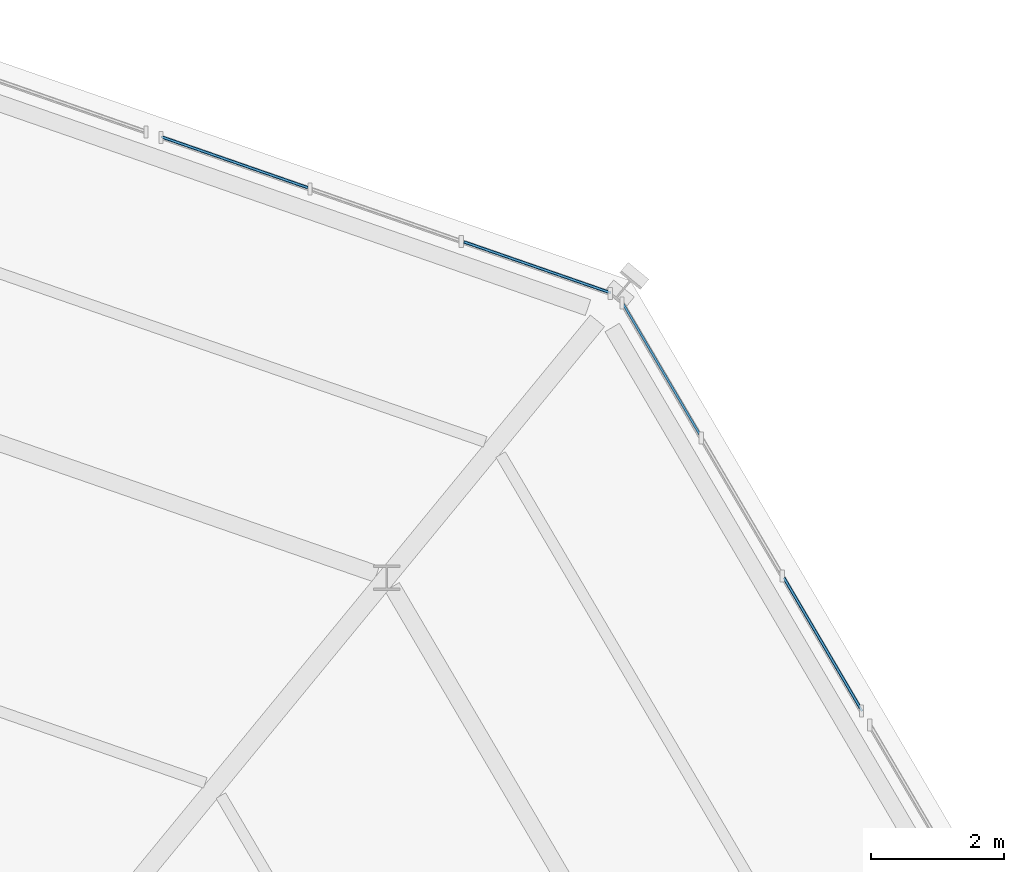
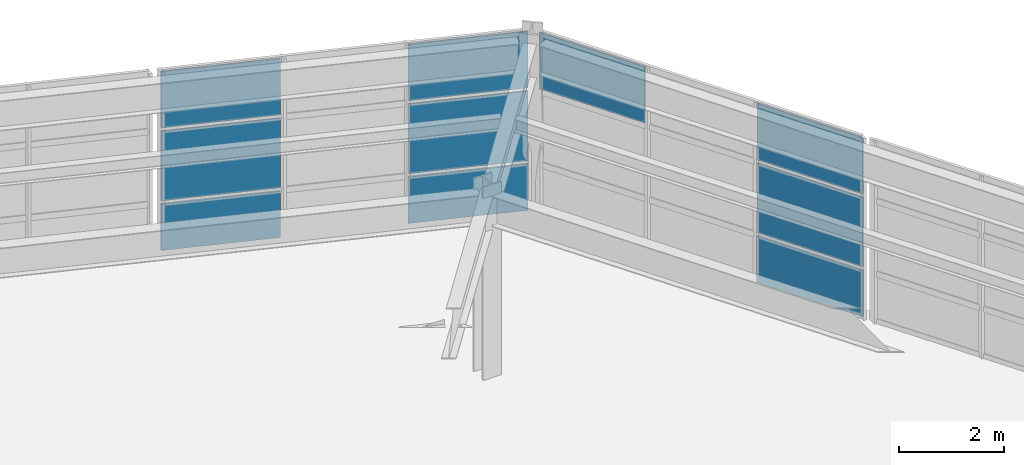
# One storey, part 57 of 88: 10 plates, 2 elements without a shape of their own.
"""IFC4 building model written with IfcOpenShell, lengths in metres."""

import ifcopenshell
import ifcopenshell.guid

model = None  # the IFC model being written
_history = None  # IfcOwnerHistory: only IFC2X3 demands one
_inside = {}  # id of a spatial element -> (the spatial element, [elements in it])
_under = {}  # id of a project, library or spatial element -> (it, [spatial elements below it])
_declared = {}  # id of a project -> (the project, [libraries it declares])
_typed = {}  # id of a type object -> (the type object, [elements of that type])
_made_of = {}  # id of a material, layer set ... -> (it, [elements and type objects made of it])


def new_model(schema):
    """Start an empty IFC model of exactly this schema.

    Asked for "IFC4X3", IfcOpenShell would pick the latest addendum, in which some entities
    have other attributes; the version numbers below select the first issue.
    IFC2X3 requires an IfcOwnerHistory on every rooted entity: one is made here for all.
    """
    global model, _history
    if schema == "IFC4X3":
        model = ifcopenshell.file(schema_version=(4, 3, 0, 0))
    else:
        model = ifcopenshell.file(schema=schema)
    _inside.clear()
    _under.clear()
    _declared.clear()
    _typed.clear()
    _made_of.clear()
    _history = None
    if model.schema == "IFC2X3":
        org = make("IfcOrganization", Name="unknown")
        user = make(
            "IfcPersonAndOrganization",
            ThePerson=make("IfcPerson", FamilyName="unknown"),
            TheOrganization=org,
        )
        app = make(
            "IfcApplication",
            ApplicationDeveloper=org,
            Version="unknown",
            ApplicationFullName="unknown",
            ApplicationIdentifier="unknown",
        )
        _history = make(
            "IfcOwnerHistory",
            OwningUser=user,
            OwningApplication=app,
            ChangeAction="ADDED",
            CreationDate=0,
        )
    return model


def make(cls, **values):
    """One entity of the class cls with the attributes given. An attribute that is None is left unset."""
    return model.create_entity(
        cls, **{name: value for name, value in values.items() if value is not None}
    )


def rooted(cls, **values):
    """An entity with a GlobalId (a new one), such as an element, a storey or a relation."""
    return make(cls, GlobalId=ifcopenshell.guid.new(), OwnerHistory=_history, **values)


def si_unit(unit_type, name, prefix=None):
    """IfcSIUnit, for example si_unit("LENGTHUNIT", "METRE", prefix="MILLI")."""
    return make("IfcSIUnit", UnitType=unit_type, Prefix=prefix, Name=name)


def assignment(units):
    """IfcUnitAssignment: the units of a project."""
    return None if units is None else make("IfcUnitAssignment", Units=units)


def point(xyz):
    """IfcCartesianPoint."""
    return None if xyz is None else make("IfcCartesianPoint", Coordinates=xyz)


def direction(xyz):
    """IfcDirection."""
    return None if xyz is None else make("IfcDirection", DirectionRatios=xyz)


def frame(location, z_axis=None, x_axis=None):
    """IfcAxis2Placement3D, a coordinate frame: its origin and axes. An axis left out is left unset."""
    return make(
        "IfcAxis2Placement3D",
        Location=point(location),
        Axis=direction(z_axis),
        RefDirection=direction(x_axis),
    )


def frame_2d(location, x_axis=None):
    """IfcAxis2Placement2D, a coordinate frame in the plane: its origin and x axis."""
    return make(
        "IfcAxis2Placement2D", Location=point(location), RefDirection=direction(x_axis)
    )


def origin():
    """The frame at (0, 0, 0) with its axes left unset."""
    return frame((0.0, 0.0, 0.0))


def origin_2d():
    """The frame at (0, 0) in the plane with its x axis left unset."""
    return frame_2d((0.0, 0.0))


def place(relative_to, where):
    """IfcLocalPlacement: puts the frame where relative to a parent placement (None: the world)."""
    return make(
        "IfcLocalPlacement", PlacementRelTo=relative_to, RelativePlacement=where
    )


def context(
    kind, dimensions, precision=None, world=None, true_north=None, identifier=None
):
    """IfcGeometricRepresentationContext, for example the 3D "Model" context."""
    return make(
        "IfcGeometricRepresentationContext",
        ContextIdentifier=identifier,
        ContextType=kind,
        CoordinateSpaceDimension=dimensions,
        Precision=precision,
        WorldCoordinateSystem=world,
        TrueNorth=true_north,
    )


def subcontext(parent, identifier, kind, view, scale=None):
    """IfcGeometricRepresentationSubContext, for example "Body" below "Model"."""
    return make(
        "IfcGeometricRepresentationSubContext",
        ContextIdentifier=identifier,
        ContextType=kind,
        ParentContext=parent,
        TargetScale=scale,
        TargetView=view,
    )


def project(units=None, contexts=None):
    """IfcProject with its units and contexts."""
    return rooted(
        "IfcProject",
        Name="project",
        RepresentationContexts=contexts,
        UnitsInContext=assignment(units),
    )


def spatial(cls, under=None, at=None, **own):
    """A site, building, storey or space (cls), placed at a placement, below another one or the project."""
    s = rooted(cls, ObjectPlacement=at, **own)
    if under is not None:
        _under.setdefault(under.id(), (under, []))[1].append(s)
    return s


def profile(cls, at=None, kind="AREA", **sizes):
    """A parametric profile (cls). Its sizes go by their IFC names, for example OverallWidth=200.0."""
    return make(cls, ProfileType=kind, Position=at, **sizes)


def rectangle(**sizes):
    """IfcRectangleProfileDef."""
    return profile("IfcRectangleProfileDef", **sizes)


def extrude(swept, where, along, depth):
    """IfcExtrudedAreaSolid: the profile swept, set in the frame where, extruded along a direction by depth."""
    return make(
        "IfcExtrudedAreaSolid",
        SweptArea=swept,
        Position=where,
        ExtrudedDirection=direction(along),
        Depth=depth,
    )


def shape(context_of_items, identifier, shape_type, items):
    """IfcShapeRepresentation: the items that make up one representation, for example the "Body"."""
    return make(
        "IfcShapeRepresentation",
        ContextOfItems=context_of_items,
        RepresentationIdentifier=identifier,
        RepresentationType=shape_type,
        Items=items,
    )


def material(Name=None, Category=None):
    """IfcMaterial."""
    return make("IfcMaterial", Name=Name, Category=Category)


def layer(
    of_material, thickness, ventilated=None, Name=None, Category=None, Priority=None
):
    """IfcMaterialLayer: one layer of a wall or slab, of a material (None: an air gap)."""
    return make(
        "IfcMaterialLayer",
        Material=of_material,
        LayerThickness=thickness,
        IsVentilated=ventilated,
        Name=Name,
        Category=Category,
        Priority=Priority,
    )


def layer_set(layers, Name=None):
    """IfcMaterialLayerSet."""
    return make("IfcMaterialLayerSet", MaterialLayers=layers, LayerSetName=Name)


def made_of(thing, what):
    """Note that an element or type object is made of a material, layer set ...; save() writes the relation."""
    if what is not None:
        _made_of.setdefault(what.id(), (what, []))[1].append(thing)
    return thing


def type_object(cls, material=None, **own):
    """A type object (cls), such as IfcWallType, which elements share."""
    return made_of(rooted(cls, **own), material)


def element(
    cls,
    number,
    at=None,
    inside=None,
    cuts=None,
    type_object=None,
    material=None,
    context=None,
    identifier="Body",
    shape_type=None,
    held_by="IfcProductDefinitionShape",
    body=None,
    shapes=None,
    **own,
):
    """One element of the class cls, such as IfcWall. Its Tag is "e" and its number.

    at: its placement. inside: the storey or other place that contains it. cuts: it is an
    opening in that element (IfcRelVoidsElement). A single representation is given by context,
    identifier, shape_type and body (its items); several are given by shapes. held_by: the class
    of the entity that holds the representations. save() writes the other relations.
    """
    e = rooted(cls, Tag="e%d" % number, ObjectPlacement=at, **own)
    if body is not None:
        shapes = [shape(context, identifier, shape_type, body)]
    if shapes is not None:
        e.Representation = make(held_by, Representations=shapes)
    if inside is not None:
        _inside.setdefault(inside.id(), (inside, []))[1].append(e)
    if cuts is not None:
        rooted(
            "IfcRelVoidsElement", RelatingBuildingElement=cuts, RelatedOpeningElement=e
        )
    if type_object is not None:
        _typed.setdefault(type_object.id(), (type_object, []))[1].append(e)
    return made_of(e, material)


def aggregate(whole, parts):
    """IfcRelAggregates: a whole, such as a stair, and the parts it consists of."""
    return rooted("IfcRelAggregates", RelatingObject=whole, RelatedObjects=parts)


def save(model, path):
    """Write the relations noted so far, then the file.

    IfcRelAggregates (storeys below a building ...), IfcRelContainedInSpatialStructure (elements
    in a storey), IfcRelDefinesByType, IfcRelAssociatesMaterial and IfcRelDeclares: one each for
    every whole, place, type object, material and project.
    """
    for whole, parts in _under.values():
        aggregate(whole, parts)
    for where, things in _inside.values():
        rooted(
            "IfcRelContainedInSpatialStructure",
            RelatedElements=things,
            RelatingStructure=where,
        )
    for kind, things in _typed.values():
        rooted("IfcRelDefinesByType", RelatedObjects=things, RelatingType=kind)
    for what, things in _made_of.values():
        rooted("IfcRelAssociatesMaterial", RelatedObjects=things, RelatingMaterial=what)
    for by, libraries in _declared.values():
        rooted("IfcRelDeclares", RelatingContext=by, RelatedDefinitions=libraries)
    model.write(path)


model = new_model("IFC4")

# Units and contexts
model_context = context("Model", 3, precision=1e-05, world=origin(), true_north=direction((0.0, 1.0)))
body_context = subcontext(model_context, "Body", "Model", "MODEL_VIEW")
ifc_project = project(units=[si_unit("LENGTHUNIT", "METRE"), si_unit("AREAUNIT", "SQUARE_METRE"), si_unit("VOLUMEUNIT", "CUBIC_METRE"), si_unit("PLANEANGLEUNIT", "RADIAN"), si_unit("MASSUNIT", "GRAM", prefix="KILO")], contexts=[model_context])

# Site, building, storey
site_placement = place(None, origin())
site = spatial("IfcSite", under=ifc_project, at=site_placement, CompositionType="ELEMENT")
building_placement = place(site_placement, origin())
building = spatial("IfcBuilding", under=site, at=building_placement, Name="Sarnbrook Museum", CompositionType="ELEMENT")
storey_placement = place(building_placement, frame((0.0, 0.0, 10.10009765625)))
storey = spatial("IfcBuildingStorey", under=building, at=storey_placement, Name="L02", CompositionType="ELEMENT", Elevation=10.10009765625)

# Curtain wall, plates
ifc_material_1 = material(Name="Thermally Broken Anodised Aluminium 6063-T6", Category="aluminium")
curtain_wall_type = type_object("IfcCurtainWallType", Name="CurtainWall_CrystalFacet", PredefinedType="NOTDEFINED", material=ifc_material_1)
curtain_wall_1_placement = place(storey_placement, origin())
curtain_wall_1 = element("IfcCurtainWall", 1, at=curtain_wall_1_placement, inside=storey, type_object=curtain_wall_type, Name="Crystal Hall Facet Curtain Wall L02-F4.3", PredefinedType="NOTDEFINED")
ifc_material_2 = material(Name="Double-Glazed Low-Iron Laminated Safety Glass", Category="glass")
ifc_layer_1 = layer(ifc_material_2, 0.031982421875)
ifc_layer_set_1 = layer_set([ifc_layer_1], Name="Double-Glazed Low-Iron Laminated Safety Glass")
plate_type_1 = type_object("IfcPlateType", Name="CW_GlazedPanel_32", PredefinedType="CURTAIN_PANEL", material=ifc_layer_set_1)
plate_1_placement = place(storey_placement, frame((160.0732421875, 101.647216796875, 2.0), z_axis=(0.862497769864, 0.50606086292, 0.0), x_axis=(-0.50606086292, 0.862497769864, 0.0)))
plate_1 = element("IfcPlate", 2, at=plate_1_placement, type_object=plate_type_1, Name="Crystal Hall Facet Curtain Wall L02-F4.3 Glazed Panel 1-2", PredefinedType="CURTAIN_PANEL", context=body_context, shape_type="SweptSolid", body=[
    extrude(rectangle(XDim=2.31884765625, YDim=1.6298828125, at=origin_2d()), origin(), (0.0, 0.0, 1.0), 0.031982421875),
])
plate_2_placement = place(storey_placement, frame((160.0732421875, 101.647216796875, 3.544921875), z_axis=(0.862497769864, 0.50606086292, 0.0), x_axis=(-0.50606086292, 0.862497769864, 0.0)))
plate_2 = element("IfcPlate", 3, at=plate_2_placement, type_object=plate_type_1, Name="Crystal Hall Facet Curtain Wall L02-F4.3 Glazed Panel 1-3", PredefinedType="CURTAIN_PANEL", context=body_context, shape_type="SweptSolid", body=[
    extrude(rectangle(XDim=2.31884765625, YDim=1.320068359375, at=origin_2d()), origin(), (0.0, 0.0, 1.0), 0.031982421875),
])
plate_3_placement = place(storey_placement, frame((157.650146484375, 105.776611328125, 3.544921875), z_axis=(0.862497769864, 0.50606086292, 0.0), x_axis=(-0.50606086292, 0.862497769864, 0.0)))
plate_3 = element("IfcPlate", 4, at=plate_3_placement, type_object=plate_type_1, Name="Crystal Hall Facet Curtain Wall L02-F4.3 Glazed Panel 3-3", PredefinedType="CURTAIN_PANEL", context=body_context, shape_type="SweptSolid", body=[
    extrude(rectangle(XDim=2.31884765625, YDim=1.320068359375, at=origin_2d()), origin(), (0.0, 0.0, 1.0), 0.031982421875),
])

curtain_wall_2_placement = place(storey_placement, origin())
curtain_wall_2 = element("IfcCurtainWall", 5, at=curtain_wall_2_placement, inside=storey, type_object=curtain_wall_type, Name="Crystal Hall Facet Curtain Wall L02-F5.1", PredefinedType="NOTDEFINED")
plate_4_placement = place(storey_placement, frame((155.797119140625, 107.294921875, 2.0), z_axis=(0.328013258134, 0.944673119385, 0.0), x_axis=(-0.944673119385, 0.328013258134, 0.0)))
plate_4 = element("IfcPlate", 6, at=plate_4_placement, type_object=plate_type_1, Name="Crystal Hall Facet Curtain Wall L02-F5.1 Glazed Panel 1-2", PredefinedType="CURTAIN_PANEL", context=body_context, shape_type="SweptSolid", body=[
    extrude(rectangle(XDim=2.3291015625, YDim=1.6298828125, at=origin_2d()), origin(), (0.0, 0.0, 1.0), 0.031982421875),
])
plate_5_placement = place(storey_placement, frame((155.797119140625, 107.294921875, 3.544921875), z_axis=(0.328013258134, 0.944673119385, 0.0), x_axis=(-0.944673119385, 0.328013258134, 0.0)))
plate_5 = element("IfcPlate", 7, at=plate_5_placement, type_object=plate_type_1, Name="Crystal Hall Facet Curtain Wall L02-F5.1 Glazed Panel 1-3", PredefinedType="CURTAIN_PANEL", context=body_context, shape_type="SweptSolid", body=[
    extrude(rectangle(XDim=2.3291015625, YDim=1.320068359375, at=origin_2d()), origin(), (0.0, 0.0, 1.0), 0.031982421875),
])
plate_6_placement = place(storey_placement, frame((151.2548828125, 108.8720703125, 2.0), z_axis=(0.328013258134, 0.944673119385, 0.0), x_axis=(-0.944673119385, 0.328013258134, 0.0)))
plate_6 = element("IfcPlate", 8, at=plate_6_placement, type_object=plate_type_1, Name="Crystal Hall Facet Curtain Wall L02-F5.1 Glazed Panel 3-2", PredefinedType="CURTAIN_PANEL", context=body_context, shape_type="SweptSolid", body=[
    extrude(rectangle(XDim=2.3291015625, YDim=1.6298828125, at=origin_2d()), origin(), (0.0, 0.0, 1.0), 0.031982421875),
])
plate_7_placement = place(storey_placement, frame((151.2548828125, 108.8720703125, 3.544921875), z_axis=(0.328013258134, 0.944673119385, 0.0), x_axis=(-0.944673119385, 0.328013258134, 0.0)))
plate_7 = element("IfcPlate", 9, at=plate_7_placement, type_object=plate_type_1, Name="Crystal Hall Facet Curtain Wall L02-F5.1 Glazed Panel 3-3", PredefinedType="CURTAIN_PANEL", context=body_context, shape_type="SweptSolid", body=[
    extrude(rectangle(XDim=2.3291015625, YDim=1.320068359375, at=origin_2d()), origin(), (0.0, 0.0, 1.0), 0.031982421875),
])

# Plate
ifc_material_3 = material(Name="Patinated Architectural Bronze")
ifc_layer_2 = layer(ifc_material_3, 0.044921875)
ifc_layer_set_2 = layer_set([ifc_layer_2], Name="Patinated Architectural Bronze")
plate_type_2 = type_object("IfcPlateType", Name="CW_SpandrelPanel_45", PredefinedType="CURTAIN_PANEL", material=ifc_layer_set_2)
plate_8_placement = place(storey_placement, frame((160.067626953125, 101.643798828125, 0.574951171875), z_axis=(0.862497769864, 0.50606086292, 0.0), x_axis=(-0.50606086292, 0.862497769864, 0.0)))
plate_8 = element("IfcPlate", 10, at=plate_8_placement, type_object=plate_type_2, Name="Crystal Hall Facet Curtain Wall L02-F4.3 Spandrel Panel 1-1", PredefinedType="CURTAIN_PANEL", context=body_context, shape_type="SweptSolid", body=[
    extrude(rectangle(XDim=2.31884765625, YDim=1.080078125, at=origin_2d()), origin(), (0.0, 0.0, 1.0), 0.044921875),
])

aggregate(curtain_wall_1, [plate_8, plate_1, plate_2, plate_3])

plate_9_placement = place(storey_placement, frame((155.794921875, 107.288818359375, 0.574951171875), z_axis=(0.328013258134, 0.944673119385, 0.0), x_axis=(-0.944673119385, 0.328013258134, 0.0)))
plate_9 = element("IfcPlate", 11, at=plate_9_placement, type_object=plate_type_2, Name="Crystal Hall Facet Curtain Wall L02-F5.1 Spandrel Panel 1-1", PredefinedType="CURTAIN_PANEL", context=body_context, shape_type="SweptSolid", body=[
    extrude(rectangle(XDim=2.3291015625, YDim=1.080078125, at=origin_2d()), origin(), (0.0, 0.0, 1.0), 0.044921875),
])

plate_10_placement = place(storey_placement, frame((151.252685546875, 108.865966796875, 0.574951171875), z_axis=(0.328013258134, 0.944673119385, 0.0), x_axis=(-0.944673119385, 0.328013258134, 0.0)))
plate_10 = element("IfcPlate", 12, at=plate_10_placement, type_object=plate_type_2, Name="Crystal Hall Facet Curtain Wall L02-F5.1 Spandrel Panel 3-1", PredefinedType="CURTAIN_PANEL", context=body_context, shape_type="SweptSolid", body=[
    extrude(rectangle(XDim=2.3291015625, YDim=1.080078125, at=origin_2d()), origin(), (0.0, 0.0, 1.0), 0.044921875),
])

aggregate(curtain_wall_2, [plate_9, plate_4, plate_5, plate_10, plate_6, plate_7])

save(model, "model.ifc")
